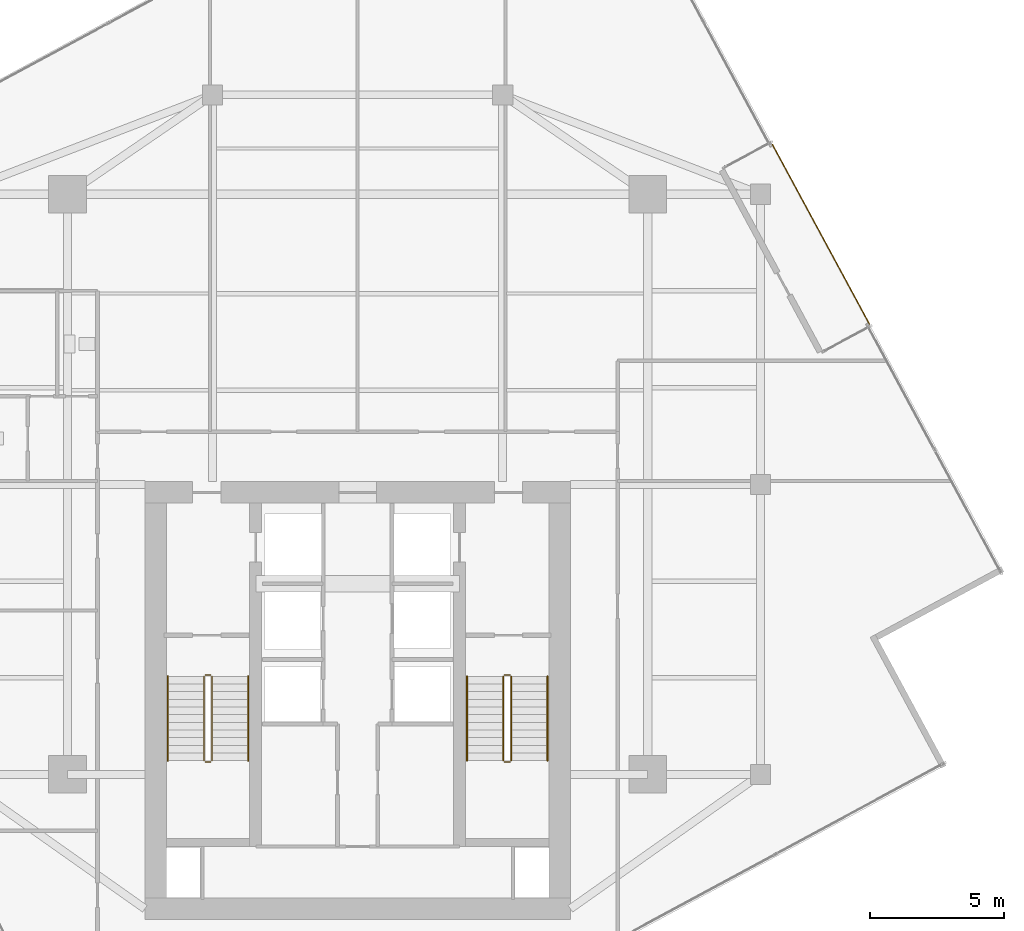
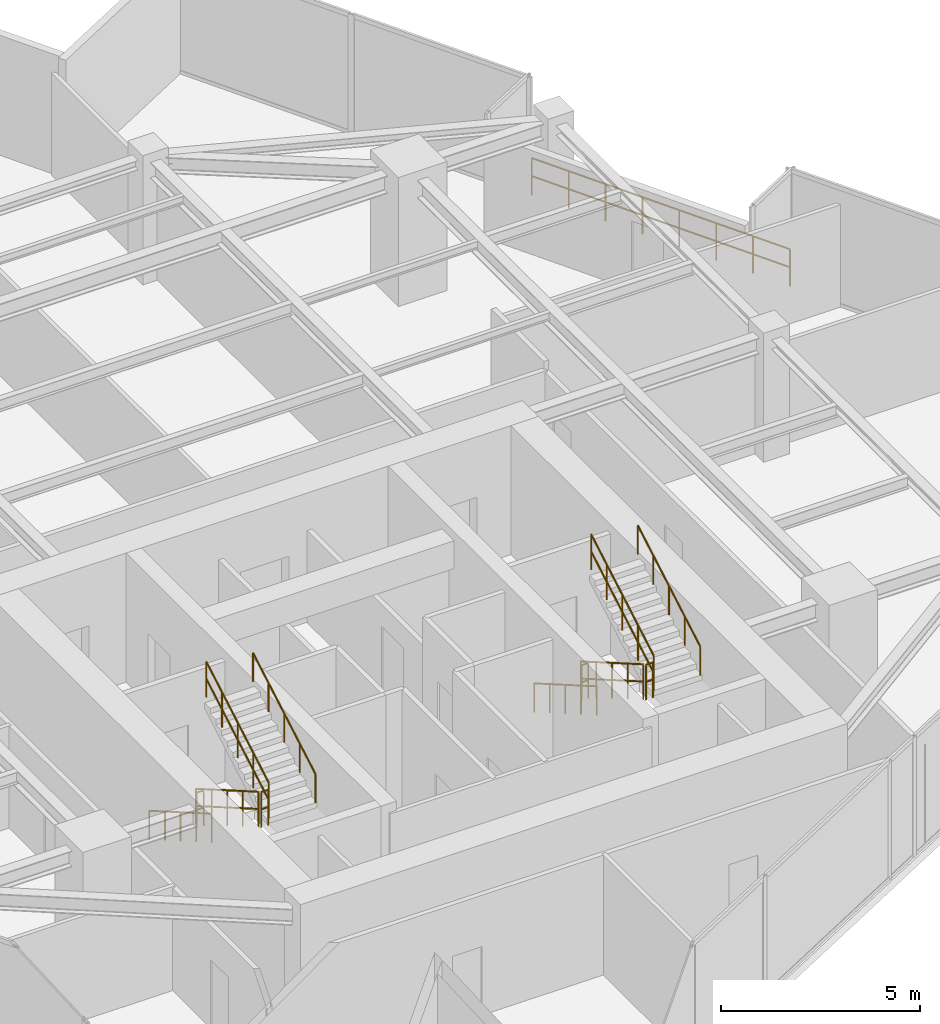
# One storey, part 21 of 22: 13 railings.
"""IFC4 building model written with IfcOpenShell, lengths in metres."""

from ifc_helpers import new_model, si_unit, direction, frame, origin, origin_2d, place, context, subcontext, project, spatial, circle, extrude, material, layer, layer_set, type_object, element, save


model = new_model("IFC4")

# Units and contexts
model_context = context("Model", 3, precision=1e-05, world=origin(), true_north=direction((0.0, 1.0)))
body_context = subcontext(model_context, "Body", "Model", "MODEL_VIEW")
ifc_project = project(units=[si_unit("LENGTHUNIT", "METRE"), si_unit("AREAUNIT", "SQUARE_METRE"), si_unit("VOLUMEUNIT", "CUBIC_METRE"), si_unit("PLANEANGLEUNIT", "RADIAN"), si_unit("MASSUNIT", "GRAM", prefix="KILO")], contexts=[model_context])

# Site, building, storey
site_placement = place(None, origin())
site = spatial("IfcSite", under=ifc_project, at=site_placement, CompositionType="ELEMENT")
building_placement = place(site_placement, origin())
building = spatial("IfcBuilding", under=site, at=building_placement, Name="Krantzveldt Concourse Tower", CompositionType="ELEMENT")
storey_placement = place(building_placement, frame((0.0, 0.0, 306.89990234375)))
storey = spatial("IfcBuildingStorey", under=building, at=storey_placement, Name="L75", CompositionType="ELEMENT", Elevation=306.89990234375)

# Railings
ifc_material = material(Name="Stainless steel 316L", Category="steel")
ifc_layer_1 = layer(ifc_material, 0.080078125, Name="Stainless steel 316L", Category="steel")
ifc_layer_set_1 = layer_set([ifc_layer_1], Name="Stainless steel 316L (RL-BALUSTRADE-1150)")
railing_type_1 = type_object("IfcRailingType", Name="RL-BALUSTRADE-1150", PredefinedType="BALUSTRADE", material=ifc_layer_set_1)
railing_1_placement = place(storey_placement, frame((51.439208984375, 39.358154296875, 0.0)))
element("IfcRailing", 1, at=railing_1_placement, inside=storey, type_object=railing_type_1, Name="GD-L75-CTER-01", PredefinedType="BALUSTRADE", context=body_context, shape_type="SweptSolid", body=[
    extrude(circle(Radius=0.02392578125, at=origin_2d()), frame((0.0, 0.0, 1.1259765625), z_axis=(0.475233473965, -0.879859730425, 0.0), x_axis=(0.879859730425, 0.475233473965, 0.0)), (0.0, 0.0, 1.0), 7.60009765625),
    extrude(circle(Radius=0.02392578125, at=origin_2d()), frame((0.0, 0.0, 0.574951171875), z_axis=(0.475233473965, -0.879859730425, 0.0), x_axis=(0.879859730425, 0.475233473965, 0.0)), (0.0, 0.0, 1.0), 7.60009765625),
    extrude(circle(Radius=0.02099609375, at=origin_2d()), origin(), (0.0, 0.0, 1.0), 1.101806640625),
    extrude(circle(Radius=0.02099609375, at=origin_2d()), frame((0.515869140625, -0.955322265625, 0.0)), (0.0, 0.0, 1.0), 1.101806640625),
    extrude(circle(Radius=0.02099609375, at=origin_2d()), frame((1.031982421875, -1.91064453125, 0.0)), (0.0, 0.0, 1.0), 1.101806640625),
    extrude(circle(Radius=0.02099609375, at=origin_2d()), frame((1.5478515625, -2.865966796875, 0.0)), (0.0, 0.0, 1.0), 1.101806640625),
    extrude(circle(Radius=0.02099609375, at=origin_2d()), frame((2.06396484375, -3.821044921875, 0.0)), (0.0, 0.0, 1.0), 1.101806640625),
    extrude(circle(Radius=0.02099609375, at=origin_2d()), frame((2.579833984375, -4.7763671875, 0.0)), (0.0, 0.0, 1.0), 1.101806640625),
    extrude(circle(Radius=0.02099609375, at=origin_2d()), frame((3.095947265625, -5.731689453125, 0.0)), (0.0, 0.0, 1.0), 1.101806640625),
    extrude(circle(Radius=0.02099609375, at=origin_2d()), frame((3.61181640625, -6.68701171875, 0.0)), (0.0, 0.0, 1.0), 1.101806640625),
])
ifc_layer_2 = layer(ifc_material, 0.06005859375, Name="Stainless steel 316L", Category="steel")
ifc_layer_set_2 = layer_set([ifc_layer_2], Name="Stainless steel 316L (RL-GUARD-1120)")
railing_type_2 = type_object("IfcRailingType", Name="RL-GUARD-1120", PredefinedType="GUARDRAIL", material=ifc_layer_set_2)
railing_2_placement = place(storey_placement, frame((30.280029296875, 19.550048828125, 0.164794921875)))
element("IfcRailing", 2, at=railing_2_placement, inside=storey, type_object=railing_type_2, Name="L75 ST-1 stair guard 1", PredefinedType="GUARDRAIL", context=body_context, shape_type="SweptSolid", body=[
    extrude(circle(Radius=0.02392578125, at=origin_2d()), frame((0.0, 0.0, 1.076171875), z_axis=(0.0, -0.865989039225, 0.500062979975), x_axis=(1.0, 0.0, 0.0)), (0.0, 0.0, 1.0), 3.6201171875),
    extrude(circle(Radius=0.02392578125, at=origin_2d()), frame((0.0, 0.0, 0.550048828125), z_axis=(0.0, -0.865989039225, 0.500062979975), x_axis=(1.0, 0.0, 0.0)), (0.0, 0.0, 1.0), 3.6201171875),
    extrude(circle(Radius=0.02099609375, at=origin_2d()), origin(), (0.0, 0.0, 1.0), 1.052001953125),
    extrude(circle(Radius=0.02099609375, at=origin_2d()), frame((0.0, -0.78369140625, 0.45263671875)), (0.0, 0.0, 1.0), 1.052001953125),
    extrude(circle(Radius=0.02099609375, at=origin_2d()), frame((0.0, -1.5673828125, 0.9052734375)), (0.0, 0.0, 1.0), 1.052001953125),
    extrude(circle(Radius=0.02099609375, at=origin_2d()), frame((0.0, -2.351318359375, 1.357666015625)), (0.0, 0.0, 1.0), 1.052001953125),
    extrude(circle(Radius=0.02099609375, at=origin_2d()), frame((0.0, -3.135009765625, 1.810302734375)), (0.0, 0.0, 1.0), 1.052001953125),
])
railing_3_placement = place(storey_placement, frame((30.330078125, 16.364990234375, 1.97509765625)))
element("IfcRailing", 3, at=railing_3_placement, inside=storey, type_object=railing_type_2, Name="L75 ST-1 stair guard 2", PredefinedType="GUARDRAIL", context=body_context, shape_type="SweptSolid", body=[
    extrude(circle(Radius=0.02392578125, at=origin_2d()), frame((0.0, 0.0, 1.076171875), z_axis=(1.0, 0.0, 0.0), x_axis=(0.0, 1.0, 0.0)), (0.0, 0.0, 1.0), 0.199951171875),
    extrude(circle(Radius=0.02392578125, at=origin_2d()), frame((0.0, 0.0, 0.550048828125), z_axis=(1.0, 0.0, 0.0), x_axis=(0.0, 1.0, 0.0)), (0.0, 0.0, 1.0), 0.199951171875),
    extrude(circle(Radius=0.02099609375, at=origin_2d()), origin(), (0.0, 0.0, 1.0), 1.052001953125),
    extrude(circle(Radius=0.02099609375, at=origin_2d()), frame((0.199951171875, 0.0, 0.0)), (0.0, 0.0, 1.0), 1.052001953125),
])
railing_4_placement = place(storey_placement, frame((30.580078125, 16.4150390625, 2.1396484375)))
element("IfcRailing", 4, at=railing_4_placement, inside=storey, type_object=railing_type_2, Name="L75 ST-1 stair guard 3", PredefinedType="GUARDRAIL", context=body_context, shape_type="SweptSolid", body=[
    extrude(circle(Radius=0.02392578125, at=origin_2d()), frame((0.0, 0.0, 1.076171875), z_axis=(0.0, 0.865959834175, 0.500113552702), x_axis=(-1.0, 0.0, 0.0)), (0.0, 0.0, 1.0), 3.620361328125),
    extrude(circle(Radius=0.02392578125, at=origin_2d()), frame((0.0, 0.0, 0.550048828125), z_axis=(0.0, 0.865959834175, 0.500113552702), x_axis=(-1.0, 0.0, 0.0)), (0.0, 0.0, 1.0), 3.620361328125),
    extrude(circle(Radius=0.02099609375, at=origin_2d()), origin(), (0.0, 0.0, 1.0), 1.052001953125),
    extrude(circle(Radius=0.02099609375, at=origin_2d()), frame((0.0, 0.78369140625, 0.45263671875)), (0.0, 0.0, 1.0), 1.052001953125),
    extrude(circle(Radius=0.02099609375, at=origin_2d()), frame((0.0, 1.5673828125, 0.9052734375)), (0.0, 0.0, 1.0), 1.052001953125),
    extrude(circle(Radius=0.02099609375, at=origin_2d()), frame((0.0, 2.351318359375, 1.35791015625)), (0.0, 0.0, 1.0), 1.052001953125),
    extrude(circle(Radius=0.02099609375, at=origin_2d()), frame((0.0, 3.135009765625, 1.810546875)), (0.0, 0.0, 1.0), 1.052001953125),
])
railing_5_placement = place(storey_placement, frame((30.330078125, 19.60009765625, 0.0)))
element("IfcRailing", 5, at=railing_5_placement, inside=storey, type_object=railing_type_2, Name="L75 ST-1 stair guard 4", PredefinedType="GUARDRAIL", context=body_context, shape_type="SweptSolid", body=[
    extrude(circle(Radius=0.02392578125, at=origin_2d()), frame((0.0, 0.0, 1.076171875), z_axis=(1.0, 0.0, 0.0), x_axis=(0.0, 1.0, 0.0)), (0.0, 0.0, 1.0), 0.199951171875),
    extrude(circle(Radius=0.02392578125, at=origin_2d()), frame((0.0, 0.0, 0.550048828125), z_axis=(1.0, 0.0, 0.0), x_axis=(0.0, 1.0, 0.0)), (0.0, 0.0, 1.0), 0.199951171875),
    extrude(circle(Radius=0.02099609375, at=origin_2d()), origin(), (0.0, 0.0, 1.0), 1.052001953125),
    extrude(circle(Radius=0.02099609375, at=origin_2d()), frame((0.199951171875, 0.0, 0.0)), (0.0, 0.0, 1.0), 1.052001953125),
])
railing_6_placement = place(storey_placement, frame((41.419921875, 19.550048828125, 0.164794921875)))
element("IfcRailing", 6, at=railing_6_placement, inside=storey, type_object=railing_type_2, Name="L75 ST-2 stair guard 1", PredefinedType="GUARDRAIL", context=body_context, shape_type="SweptSolid", body=[
    extrude(circle(Radius=0.02392578125, at=origin_2d()), frame((0.0, 0.0, 1.076171875), z_axis=(0.0, -0.865989039225, 0.500062979975), x_axis=(1.0, 0.0, 0.0)), (0.0, 0.0, 1.0), 3.6201171875),
    extrude(circle(Radius=0.02392578125, at=origin_2d()), frame((0.0, 0.0, 0.550048828125), z_axis=(0.0, -0.865989039225, 0.500062979975), x_axis=(1.0, 0.0, 0.0)), (0.0, 0.0, 1.0), 3.6201171875),
    extrude(circle(Radius=0.02099609375, at=origin_2d()), origin(), (0.0, 0.0, 1.0), 1.052001953125),
    extrude(circle(Radius=0.02099609375, at=origin_2d()), frame((0.0, -0.78369140625, 0.45263671875)), (0.0, 0.0, 1.0), 1.052001953125),
    extrude(circle(Radius=0.02099609375, at=origin_2d()), frame((0.0, -1.5673828125, 0.9052734375)), (0.0, 0.0, 1.0), 1.052001953125),
    extrude(circle(Radius=0.02099609375, at=origin_2d()), frame((0.0, -2.351318359375, 1.357666015625)), (0.0, 0.0, 1.0), 1.052001953125),
    extrude(circle(Radius=0.02099609375, at=origin_2d()), frame((0.0, -3.135009765625, 1.810302734375)), (0.0, 0.0, 1.0), 1.052001953125),
])
railing_7_placement = place(storey_placement, frame((41.469970703125, 16.364990234375, 1.97509765625)))
element("IfcRailing", 7, at=railing_7_placement, inside=storey, type_object=railing_type_2, Name="L75 ST-2 stair guard 2", PredefinedType="GUARDRAIL", context=body_context, shape_type="SweptSolid", body=[
    extrude(circle(Radius=0.02392578125, at=origin_2d()), frame((0.0, 0.0, 1.076171875), z_axis=(1.0, 0.0, 0.0), x_axis=(0.0, 1.0, 0.0)), (0.0, 0.0, 1.0), 0.199951171875),
    extrude(circle(Radius=0.02392578125, at=origin_2d()), frame((0.0, 0.0, 0.550048828125), z_axis=(1.0, 0.0, 0.0), x_axis=(0.0, 1.0, 0.0)), (0.0, 0.0, 1.0), 0.199951171875),
    extrude(circle(Radius=0.02099609375, at=origin_2d()), origin(), (0.0, 0.0, 1.0), 1.052001953125),
    extrude(circle(Radius=0.02099609375, at=origin_2d()), frame((0.199951171875, 0.0, 0.0)), (0.0, 0.0, 1.0), 1.052001953125),
])
railing_8_placement = place(storey_placement, frame((41.719970703125, 16.4150390625, 2.1396484375)))
element("IfcRailing", 8, at=railing_8_placement, inside=storey, type_object=railing_type_2, Name="L75 ST-2 stair guard 3", PredefinedType="GUARDRAIL", context=body_context, shape_type="SweptSolid", body=[
    extrude(circle(Radius=0.02392578125, at=origin_2d()), frame((0.0, 0.0, 1.076171875), z_axis=(0.0, 0.865959834175, 0.500113552702), x_axis=(-1.0, 0.0, 0.0)), (0.0, 0.0, 1.0), 3.620361328125),
    extrude(circle(Radius=0.02392578125, at=origin_2d()), frame((0.0, 0.0, 0.550048828125), z_axis=(0.0, 0.865959834175, 0.500113552702), x_axis=(-1.0, 0.0, 0.0)), (0.0, 0.0, 1.0), 3.620361328125),
    extrude(circle(Radius=0.02099609375, at=origin_2d()), origin(), (0.0, 0.0, 1.0), 1.052001953125),
    extrude(circle(Radius=0.02099609375, at=origin_2d()), frame((0.0, 0.78369140625, 0.45263671875)), (0.0, 0.0, 1.0), 1.052001953125),
    extrude(circle(Radius=0.02099609375, at=origin_2d()), frame((0.0, 1.5673828125, 0.9052734375)), (0.0, 0.0, 1.0), 1.052001953125),
    extrude(circle(Radius=0.02099609375, at=origin_2d()), frame((0.0, 2.351318359375, 1.35791015625)), (0.0, 0.0, 1.0), 1.052001953125),
    extrude(circle(Radius=0.02099609375, at=origin_2d()), frame((0.0, 3.135009765625, 1.810546875)), (0.0, 0.0, 1.0), 1.052001953125),
])
railing_9_placement = place(storey_placement, frame((41.469970703125, 19.60009765625, 0.0)))
element("IfcRailing", 9, at=railing_9_placement, inside=storey, type_object=railing_type_2, Name="L75 ST-2 stair guard 4", PredefinedType="GUARDRAIL", context=body_context, shape_type="SweptSolid", body=[
    extrude(circle(Radius=0.02392578125, at=origin_2d()), frame((0.0, 0.0, 1.076171875), z_axis=(1.0, 0.0, 0.0), x_axis=(0.0, 1.0, 0.0)), (0.0, 0.0, 1.0), 0.199951171875),
    extrude(circle(Radius=0.02392578125, at=origin_2d()), frame((0.0, 0.0, 0.550048828125), z_axis=(1.0, 0.0, 0.0), x_axis=(0.0, 1.0, 0.0)), (0.0, 0.0, 1.0), 0.199951171875),
    extrude(circle(Radius=0.02099609375, at=origin_2d()), origin(), (0.0, 0.0, 1.0), 1.052001953125),
    extrude(circle(Radius=0.02099609375, at=origin_2d()), frame((0.199951171875, 0.0, 0.0)), (0.0, 0.0, 1.0), 1.052001953125),
])
ifc_layer_3 = layer(ifc_material, 0.050048828125, Name="Stainless steel 316L", Category="steel")
ifc_layer_set_3 = layer_set([ifc_layer_3], Name="Stainless steel 316L (RL-HANDRAIL-920)")
railing_type_3 = type_object("IfcRailingType", Name="RL-HANDRAIL-920", PredefinedType="HANDRAIL", material=ifc_layer_set_3)
railing_10_placement = place(storey_placement, frame((28.929931640625, 19.550048828125, 0.164794921875)))
element("IfcRailing", 10, at=railing_10_placement, inside=storey, type_object=railing_type_3, Name="L75 ST-1 stair handrail 1", PredefinedType="HANDRAIL", context=body_context, shape_type="SweptSolid", body=[
    extrude(circle(Radius=0.02392578125, at=origin_2d()), frame((0.0, 0.0, 0.8759765625), z_axis=(0.0, -0.865989039225, 0.500062979975), x_axis=(1.0, 0.0, 0.0)), (0.0, 0.0, 1.0), 3.6201171875),
    extrude(circle(Radius=0.02099609375, at=origin_2d()), origin(), (0.0, 0.0, 1.0), 0.851806640625),
    extrude(circle(Radius=0.02099609375, at=origin_2d()), frame((0.0, -0.78369140625, 0.45263671875)), (0.0, 0.0, 1.0), 0.851806640625),
    extrude(circle(Radius=0.02099609375, at=origin_2d()), frame((0.0, -1.5673828125, 0.9052734375)), (0.0, 0.0, 1.0), 0.851806640625),
    extrude(circle(Radius=0.02099609375, at=origin_2d()), frame((0.0, -2.351318359375, 1.357666015625)), (0.0, 0.0, 1.0), 0.851806640625),
    extrude(circle(Radius=0.02099609375, at=origin_2d()), frame((0.0, -3.135009765625, 1.810302734375)), (0.0, 0.0, 1.0), 0.851806640625),
])
railing_11_placement = place(storey_placement, frame((31.929931640625, 16.4150390625, 2.1396484375)))
element("IfcRailing", 11, at=railing_11_placement, inside=storey, type_object=railing_type_3, Name="L75 ST-1 stair handrail 2", PredefinedType="HANDRAIL", context=body_context, shape_type="SweptSolid", body=[
    extrude(circle(Radius=0.02392578125, at=origin_2d()), frame((0.0, 0.0, 0.8759765625), z_axis=(0.0, 0.865959834175, 0.500113552702), x_axis=(-1.0, 0.0, 0.0)), (0.0, 0.0, 1.0), 3.620361328125),
    extrude(circle(Radius=0.02099609375, at=origin_2d()), origin(), (0.0, 0.0, 1.0), 0.851806640625),
    extrude(circle(Radius=0.02099609375, at=origin_2d()), frame((0.0, 0.78369140625, 0.45263671875)), (0.0, 0.0, 1.0), 0.851806640625),
    extrude(circle(Radius=0.02099609375, at=origin_2d()), frame((0.0, 1.5673828125, 0.9052734375)), (0.0, 0.0, 1.0), 0.851806640625),
    extrude(circle(Radius=0.02099609375, at=origin_2d()), frame((0.0, 2.351318359375, 1.35791015625)), (0.0, 0.0, 1.0), 0.851806640625),
    extrude(circle(Radius=0.02099609375, at=origin_2d()), frame((0.0, 3.135009765625, 1.810546875)), (0.0, 0.0, 1.0), 0.851806640625),
])
railing_12_placement = place(storey_placement, frame((40.070068359375, 19.550048828125, 0.164794921875)))
element("IfcRailing", 12, at=railing_12_placement, inside=storey, type_object=railing_type_3, Name="L75 ST-2 stair handrail 1", PredefinedType="HANDRAIL", context=body_context, shape_type="SweptSolid", body=[
    extrude(circle(Radius=0.02392578125, at=origin_2d()), frame((0.0, 0.0, 0.8759765625), z_axis=(0.0, -0.865989039225, 0.500062979975), x_axis=(1.0, 0.0, 0.0)), (0.0, 0.0, 1.0), 3.6201171875),
    extrude(circle(Radius=0.02099609375, at=origin_2d()), origin(), (0.0, 0.0, 1.0), 0.851806640625),
    extrude(circle(Radius=0.02099609375, at=origin_2d()), frame((0.0, -0.78369140625, 0.45263671875)), (0.0, 0.0, 1.0), 0.851806640625),
    extrude(circle(Radius=0.02099609375, at=origin_2d()), frame((0.0, -1.5673828125, 0.9052734375)), (0.0, 0.0, 1.0), 0.851806640625),
    extrude(circle(Radius=0.02099609375, at=origin_2d()), frame((0.0, -2.351318359375, 1.357666015625)), (0.0, 0.0, 1.0), 0.851806640625),
    extrude(circle(Radius=0.02099609375, at=origin_2d()), frame((0.0, -3.135009765625, 1.810302734375)), (0.0, 0.0, 1.0), 0.851806640625),
])
railing_13_placement = place(storey_placement, frame((43.070068359375, 16.4150390625, 2.1396484375)))
element("IfcRailing", 13, at=railing_13_placement, inside=storey, type_object=railing_type_3, Name="L75 ST-2 stair handrail 2", PredefinedType="HANDRAIL", context=body_context, shape_type="SweptSolid", body=[
    extrude(circle(Radius=0.02392578125, at=origin_2d()), frame((0.0, 0.0, 0.8759765625), z_axis=(0.0, 0.865959834175, 0.500113552702), x_axis=(-1.0, 0.0, 0.0)), (0.0, 0.0, 1.0), 3.620361328125),
    extrude(circle(Radius=0.02099609375, at=origin_2d()), origin(), (0.0, 0.0, 1.0), 0.851806640625),
    extrude(circle(Radius=0.02099609375, at=origin_2d()), frame((0.0, 0.78369140625, 0.45263671875)), (0.0, 0.0, 1.0), 0.851806640625),
    extrude(circle(Radius=0.02099609375, at=origin_2d()), frame((0.0, 1.5673828125, 0.9052734375)), (0.0, 0.0, 1.0), 0.851806640625),
    extrude(circle(Radius=0.02099609375, at=origin_2d()), frame((0.0, 2.351318359375, 1.35791015625)), (0.0, 0.0, 1.0), 0.851806640625),
    extrude(circle(Radius=0.02099609375, at=origin_2d()), frame((0.0, 3.135009765625, 1.810546875)), (0.0, 0.0, 1.0), 0.851806640625),
])

save(model, "model.ifc")
